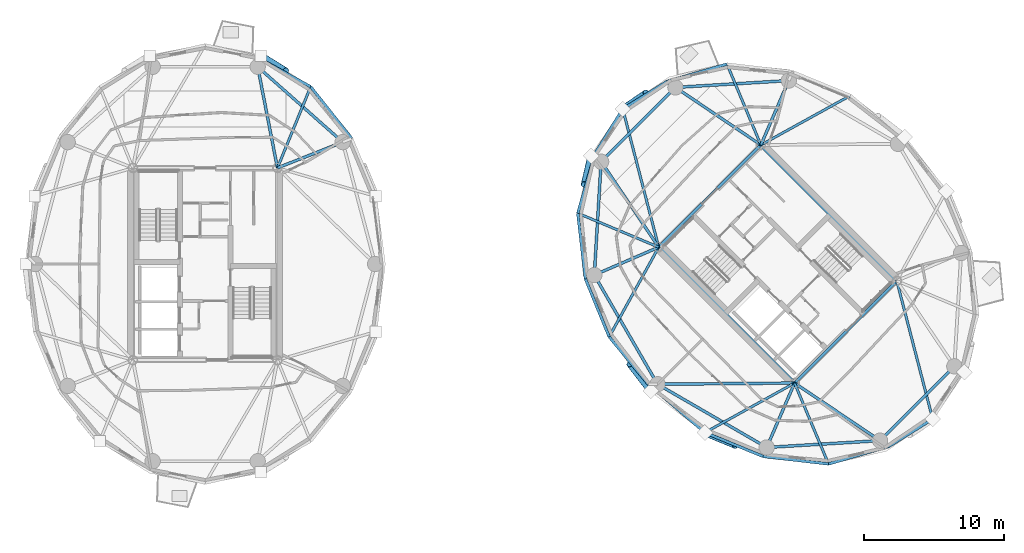
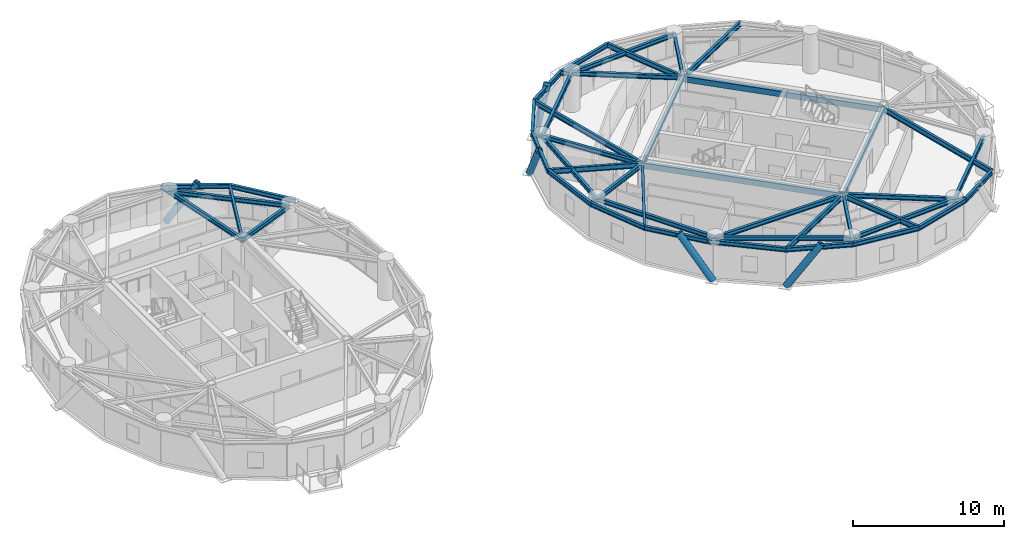
# One storey, part 4 of 16: 44 beams, 5 members.
"""IFC4 building model written with IfcOpenShell, lengths in metres."""

from ifc_helpers import new_model, si_unit, direction, frame, origin, origin_2d, place, context, subcontext, project, spatial, hollow_rectangle, hollow_circle, i_section, extrude, material, material_profile, profile_set, type_object, element, save


model = new_model("IFC4")

# Units and contexts
model_context = context("Model", 3, precision=1e-05, world=origin(), true_north=direction((0.0, 1.0)))
body_context = subcontext(model_context, "Body", "Model", "MODEL_VIEW")
ifc_project = project(units=[si_unit("LENGTHUNIT", "METRE"), si_unit("AREAUNIT", "SQUARE_METRE"), si_unit("VOLUMEUNIT", "CUBIC_METRE"), si_unit("PLANEANGLEUNIT", "RADIAN"), si_unit("MASSUNIT", "GRAM", prefix="KILO")], contexts=[model_context])

# Site, building, storey
site_placement = place(None, origin())
site = spatial("IfcSite", under=ifc_project, at=site_placement, CompositionType="ELEMENT")
building_placement = place(site_placement, origin())
building = spatial("IfcBuilding", under=site, at=building_placement, Name="Cununo Teusaquillo Station Towers", CompositionType="ELEMENT")
storey_placement = place(building_placement, frame((0.0, 0.0, 226.050048828125)))
storey = spatial("IfcBuildingStorey", under=building, at=storey_placement, Name="L72", CompositionType="ELEMENT", Elevation=226.050048828125)

# Beams
ifc_material_1 = material(Name="Steel EN 10025-2 S355J2", Category="steel")
ifc_material_profile_1 = material_profile(ifc_material_1, hollow_rectangle(XDim=0.25, YDim=0.449951171875, WallThickness=0.01611328125, at=origin_2d()), Name="RHS 450x250x16")
ifc_profile_set_1 = profile_set([ifc_material_profile_1], Name="Steel EN 10025-2 S355J2")
beam_type_1 = type_object("IfcBeamType", Name="BM-COUP-1", PredefinedType="USERDEFINED", material=ifc_profile_set_1)
for number, where, z_axis, x_axis, name in (
    (1, (58.70556640625, 15.975830078125, 2.764892578125), (-0.707106781187, 0.707106781187, 0.0), (-0.707106781187, -0.707106781187, 0.0), "L72 Tower B Core Beam 1"),
    (2, (66.024169921875, 23.29443359375, 2.764892578125), (-0.707106781187, 0.707106781187, 0.0), (-0.707106781187, -0.707106781187, 0.0), "L72 Tower B Core Beam 2"),
):
    element("IfcBeam", number, at=place(storey_placement, frame(where, z_axis=z_axis, x_axis=x_axis)), inside=storey, type_object=beam_type_1, Name=name, ObjectType="COUPLING BEAM", PredefinedType="USERDEFINED", context=body_context, shape_type="SweptSolid", body=[
        extrude(hollow_rectangle(XDim=0.25, YDim=0.449951171875, WallThickness=0.01611328125, at=origin_2d()), origin(), (0.0, 0.0, 1.0), 13.760009765625),
    ])
ifc_material_2 = material(Name="Steel ASTM A572 Grade 50", Category="steel")
ifc_material_profile_2 = material_profile(ifc_material_2, i_section(OverallWidth=0.180908203125, OverallDepth=0.4169921875, WebThickness=0.010986328125, FlangeThickness=0.018310546875, FilletRadius=0.012939453125, at=origin_2d()), Name="W16X57")
ifc_profile_set_2 = profile_set([ifc_material_profile_2], Name="Steel ASTM A572 Grade 50")
beam_type_2 = type_object("IfcBeamType", Name="BM-JOIST-1", PredefinedType="JOIST", material=ifc_profile_set_2)
beam_1_placement = place(storey_placement, frame((21.675048828125, 31.3798828125, 2.781494140625), z_axis=(0.378576847217, 0.925569862707, 0.0), x_axis=(-0.925569862707, 0.378576847217, 0.0)))
element("IfcBeam", 3, at=beam_1_placement, inside=storey, type_object=beam_type_2, Name="L72 Tower A Radial Spandrel Joist V03", PredefinedType="JOIST", context=body_context, shape_type="SweptSolid", body=[
    extrude(i_section(OverallWidth=0.180908203125, OverallDepth=0.4169921875, WebThickness=0.010986328125, FlangeThickness=0.018310546875, FilletRadius=0.012939453125, at=origin_2d()), origin(), (0.0, 0.0, 1.0), 6.28125),
])
beam_2_placement = place(storey_placement, frame((56.29443359375, 33.024169921875, 2.781494140625), z_axis=(0.8753153358, 0.483552544108, 0.0), x_axis=(-0.483552544108, 0.8753153358, 0.0)))
element("IfcBeam", 4, at=beam_2_placement, inside=storey, type_object=beam_type_2, Name="L72 Tower B Radial Spandrel Joist V01", PredefinedType="JOIST", context=body_context, shape_type="SweptSolid", body=[
    extrude(i_section(OverallWidth=0.180908203125, OverallDepth=0.4169921875, WebThickness=0.010986328125, FlangeThickness=0.018310546875, FilletRadius=0.012939453125, at=origin_2d()), origin(), (0.0, 0.0, 1.0), 7.3330078125),
])
beam_3_placement = place(storey_placement, frame((56.29443359375, 33.024169921875, 2.781494140625), z_axis=(-0.386786389381, 0.922169338565, 0.0), x_axis=(-0.922169338565, -0.386786389381, 0.0)))
element("IfcBeam", 5, at=beam_3_placement, inside=storey, type_object=beam_type_2, Name="L72 Tower B Radial Spandrel Joist V03", PredefinedType="JOIST", context=body_context, shape_type="SweptSolid", body=[
    extrude(i_section(OverallWidth=0.180908203125, OverallDepth=0.4169921875, WebThickness=0.010986328125, FlangeThickness=0.018310546875, FilletRadius=0.012939453125, at=origin_2d()), origin(), (0.0, 0.0, 1.0), 6.281005859375),
])
beam_4_placement = place(storey_placement, frame((48.975830078125, 25.70556640625, 2.781494140625), z_axis=(-0.251559992432, 0.967841707206, 0.0), x_axis=(-0.967841707206, -0.251559992432, 0.0)))
element("IfcBeam", 6, at=beam_4_placement, inside=storey, type_object=beam_type_2, Name="L72 Tower B Radial Spandrel Joist V05", PredefinedType="JOIST", context=body_context, shape_type="SweptSolid", body=[
    extrude(i_section(OverallWidth=0.180908203125, OverallDepth=0.4169921875, WebThickness=0.010986328125, FlangeThickness=0.018310546875, FilletRadius=0.012939453125, at=origin_2d()), origin(), (0.0, 0.0, 1.0), 10.217529296875),
])
beam_5_placement = place(storey_placement, frame((48.975830078125, 25.70556640625, 2.781494140625), z_axis=(-0.922169338565, 0.386786389381, 0.0), x_axis=(-0.386786389381, -0.922169338565, 0.0)))
element("IfcBeam", 7, at=beam_5_placement, inside=storey, type_object=beam_type_2, Name="L72 Tower B Radial Spandrel Joist V07", PredefinedType="JOIST", context=body_context, shape_type="SweptSolid", body=[
    extrude(i_section(OverallWidth=0.180908203125, OverallDepth=0.4169921875, WebThickness=0.010986328125, FlangeThickness=0.018310546875, FilletRadius=0.012939453125, at=origin_2d()), origin(), (0.0, 0.0, 1.0), 6.281005859375),
])
for number, where, z_axis, x_axis, name in (
    (8, (48.975830078125, 25.70556640625, 2.781494140625), (-0.483552544108, -0.8753153358, 0.0), (0.8753153358, -0.483552544108, 0.0), "L72 Tower B Radial Spandrel Joist V09"),
    (9, (58.70556640625, 15.975830078125, 2.781494140625), (-0.8753153358, -0.483552544108, 0.0), (0.483552544108, -0.8753153358, 0.0), "L72 Tower B Radial Spandrel Joist V11"),
):
    element("IfcBeam", number, at=place(storey_placement, frame(where, z_axis=z_axis, x_axis=x_axis)), inside=storey, type_object=beam_type_2, Name=name, PredefinedType="JOIST", context=body_context, shape_type="SweptSolid", body=[
        extrude(i_section(OverallWidth=0.180908203125, OverallDepth=0.4169921875, WebThickness=0.010986328125, FlangeThickness=0.018310546875, FilletRadius=0.012939453125, at=origin_2d()), origin(), (0.0, 0.0, 1.0), 7.3330078125),
    ])
beam_6_placement = place(storey_placement, frame((58.70556640625, 15.975830078125, 2.781494140625), z_axis=(0.386786389381, -0.922169338565, 0.0), x_axis=(0.922169338565, 0.386786389381, 0.0)))
element("IfcBeam", 10, at=beam_6_placement, inside=storey, type_object=beam_type_2, Name="L72 Tower B Radial Spandrel Joist V13", PredefinedType="JOIST", context=body_context, shape_type="SweptSolid", body=[
    extrude(i_section(OverallWidth=0.180908203125, OverallDepth=0.4169921875, WebThickness=0.010986328125, FlangeThickness=0.018310546875, FilletRadius=0.012939453125, at=origin_2d()), origin(), (0.0, 0.0, 1.0), 6.281005859375),
])
beam_7_placement = place(storey_placement, frame((66.024169921875, 23.29443359375, 2.781494140625), z_axis=(0.251559992432, -0.967841707206, 0.0), x_axis=(0.967841707206, 0.251559992432, 0.0)))
element("IfcBeam", 11, at=beam_7_placement, inside=storey, type_object=beam_type_2, Name="L72 Tower B Radial Spandrel Joist V15", PredefinedType="JOIST", context=body_context, shape_type="SweptSolid", body=[
    extrude(i_section(OverallWidth=0.180908203125, OverallDepth=0.4169921875, WebThickness=0.010986328125, FlangeThickness=0.018310546875, FilletRadius=0.012939453125, at=origin_2d()), origin(), (0.0, 0.0, 1.0), 10.217529296875),
])
ifc_material_3 = material(Name="Steel ASTM A572 Grade 50", Category="steel")
ifc_material_profile_3 = material_profile(ifc_material_3, i_section(OverallWidth=0.2041015625, OverallDepth=0.35009765625, WebThickness=0.008544921875, FlangeThickness=0.01513671875, FilletRadius=0.011962890625, at=origin_2d()), Name="W14X48")
ifc_profile_set_3 = profile_set([ifc_material_profile_3], Name="Steel ASTM A572 Grade 50")
beam_type_3 = type_object("IfcBeamType", Name="BM-LINTEL-1", PredefinedType="LINTEL", material=ifc_profile_set_3)
for number, where, z_axis, x_axis, name in (
    (12, (58.70556640625, 15.975830078125, 2.81494140625), (0.707106781187, 0.707106781187, 0.0), (-0.707106781187, 0.707106781187, 0.0), "L72 Tower B Core Beam 3"),
    (13, (48.975830078125, 25.70556640625, 2.81494140625), (0.707106781187, 0.707106781187, 0.0), (-0.707106781187, 0.707106781187, 0.0), "L72 Tower B Core Beam 4"),
):
    element("IfcBeam", number, at=place(storey_placement, frame(where, z_axis=z_axis, x_axis=x_axis)), inside=storey, type_object=beam_type_3, Name=name, PredefinedType="LINTEL", context=body_context, shape_type="SweptSolid", body=[
        extrude(i_section(OverallWidth=0.2041015625, OverallDepth=0.35009765625, WebThickness=0.008544921875, FlangeThickness=0.01513671875, FilletRadius=0.011962890625, at=origin_2d()), origin(), (0.0, 0.0, 1.0), 10.35009765625),
    ])
ifc_material_4 = material(Name="Steel ASTM A572 Grade 50", Category="steel")
ifc_material_profile_4 = material_profile(ifc_material_4, i_section(OverallWidth=0.2041015625, OverallDepth=0.35009765625, WebThickness=0.008544921875, FlangeThickness=0.01513671875, FilletRadius=0.011962890625, at=origin_2d()), Name="W14X48")
ifc_profile_set_4 = profile_set([ifc_material_profile_4], Name="Steel ASTM A572 Grade 50")
beam_type_4 = type_object("IfcBeamType", Name="BM-RAD-G3", PredefinedType="BEAM", material=ifc_profile_set_4)
beam_8_placement = place(storey_placement, frame((21.675048828125, 31.3798828125, 2.81494140625), z_axis=(0.929864104313, 0.367903176814, 0.0), x_axis=(-0.367903176814, 0.929864104313, 0.0)))
element("IfcBeam", 14, at=beam_8_placement, inside=storey, type_object=beam_type_4, Name="L72 Tower A Radial Girder 02A", PredefinedType="BEAM", context=body_context, shape_type="SweptSolid", body=[
    extrude(i_section(OverallWidth=0.2041015625, OverallDepth=0.35009765625, WebThickness=0.008544921875, FlangeThickness=0.01513671875, FilletRadius=0.011962890625, at=origin_2d()), origin(), (0.0, 0.0, 1.0), 5.02490234375),
])
beam_9_placement = place(storey_placement, frame((21.675048828125, 31.3798828125, 2.81494140625), z_axis=(-0.191548487699, 0.981483151593, 0.0), x_axis=(-0.981483151593, -0.191548487699, 0.0)))
element("IfcBeam", 15, at=beam_9_placement, inside=storey, type_object=beam_type_4, Name="L72 Tower A Continuous Overhanging Radial Girder 03", PredefinedType="BEAM", context=body_context, shape_type="SweptSolid", body=[
    extrude(i_section(OverallWidth=0.2041015625, OverallDepth=0.35009765625, WebThickness=0.008544921875, FlangeThickness=0.01513671875, FilletRadius=0.011962890625, at=origin_2d()), origin(), (0.0, 0.0, 1.0), 8.1240234375),
])
beam_10_placement = place(storey_placement, frame((56.29443359375, 33.024169921875, 2.81494140625), z_axis=(0.397346986387, 0.917668443616, 0.0), x_axis=(-0.917668443616, 0.397346986387, 0.0)))
element("IfcBeam", 16, at=beam_10_placement, inside=storey, type_object=beam_type_4, Name="L72 Tower B Radial Girder 02A", PredefinedType="BEAM", context=body_context, shape_type="SweptSolid", body=[
    extrude(i_section(OverallWidth=0.2041015625, OverallDepth=0.35009765625, WebThickness=0.008544921875, FlangeThickness=0.01513671875, FilletRadius=0.011962890625, at=origin_2d()), origin(), (0.0, 0.0, 1.0), 5.02490234375),
])
for number, where, z_axis, x_axis, name in (
    (17, (56.29443359375, 33.024169921875, 2.81494140625), (-0.829456817529, 0.558570844079, 0.0), (-0.558570844079, -0.829456817529, 0.0), "L72 Tower B Continuous Overhanging Radial Girder 03"),
    (18, (48.975830078125, 25.70556640625, 2.81494140625), (-0.558570844079, 0.829456817529, 0.0), (-0.829456817529, -0.558570844079, 0.0), "L72 Tower B Continuous Overhanging Radial Girder 04"),
):
    element("IfcBeam", number, at=place(storey_placement, frame(where, z_axis=z_axis, x_axis=x_axis)), inside=storey, type_object=beam_type_4, Name=name, PredefinedType="BEAM", context=body_context, shape_type="SweptSolid", body=[
        extrude(i_section(OverallWidth=0.2041015625, OverallDepth=0.35009765625, WebThickness=0.008544921875, FlangeThickness=0.01513671875, FilletRadius=0.011962890625, at=origin_2d()), origin(), (0.0, 0.0, 1.0), 8.1240234375),
    ])
beam_11_placement = place(storey_placement, frame((48.975830078125, 25.70556640625, 2.81494140625), z_axis=(-0.917665176837, -0.397354530893, 0.0), x_axis=(0.397354530893, -0.917665176837, 0.0)))
element("IfcBeam", 19, at=beam_11_placement, inside=storey, type_object=beam_type_4, Name="L72 Tower B Continuous Overhanging Radial Girder 05", PredefinedType="BEAM", context=body_context, shape_type="SweptSolid", body=[
    extrude(i_section(OverallWidth=0.2041015625, OverallDepth=0.35009765625, WebThickness=0.008544921875, FlangeThickness=0.01513671875, FilletRadius=0.011962890625, at=origin_2d()), origin(), (0.0, 0.0, 1.0), 5.716552734375),
])
beam_12_placement = place(storey_placement, frame((58.70556640625, 15.975830078125, 2.81494140625), z_axis=(-0.999964431382, -0.008434214327, 0.0), x_axis=(0.008434214327, -0.999964431382, 0.0)))
element("IfcBeam", 20, at=beam_12_placement, inside=storey, type_object=beam_type_4, Name="L72 Tower B Radial Girder 06A", PredefinedType="BEAM", context=body_context, shape_type="SweptSolid", body=[
    extrude(i_section(OverallWidth=0.2041015625, OverallDepth=0.35009765625, WebThickness=0.008544921875, FlangeThickness=0.01513671875, FilletRadius=0.011962890625, at=origin_2d()), origin(), (0.0, 0.0, 1.0), 9.812744140625),
])
beam_13_placement = place(storey_placement, frame((58.70556640625, 15.975830078125, 2.81494140625), z_axis=(-0.397354530893, -0.917665176837, 0.0), x_axis=(0.917665176837, -0.397354530893, 0.0)))
element("IfcBeam", 21, at=beam_13_placement, inside=storey, type_object=beam_type_4, Name="L72 Tower B Continuous Overhanging Radial Girder 07", PredefinedType="BEAM", context=body_context, shape_type="SweptSolid", body=[
    extrude(i_section(OverallWidth=0.2041015625, OverallDepth=0.35009765625, WebThickness=0.008544921875, FlangeThickness=0.01513671875, FilletRadius=0.011962890625, at=origin_2d()), origin(), (0.0, 0.0, 1.0), 5.716552734375),
])
beam_14_placement = place(storey_placement, frame((58.70556640625, 15.975830078125, 2.81494140625), z_axis=(0.829456817529, -0.558570844079, 0.0), x_axis=(0.558570844079, 0.829456817529, 0.0)))
element("IfcBeam", 22, at=beam_14_placement, inside=storey, type_object=beam_type_4, Name="L72 Tower B Continuous Overhanging Radial Girder 08", PredefinedType="BEAM", context=body_context, shape_type="SweptSolid", body=[
    extrude(i_section(OverallWidth=0.2041015625, OverallDepth=0.35009765625, WebThickness=0.008544921875, FlangeThickness=0.01513671875, FilletRadius=0.011962890625, at=origin_2d()), origin(), (0.0, 0.0, 1.0), 8.1240234375),
])
ifc_material_5 = material(Name="Steel ASTM A572 Grade 50", Category="steel")
ifc_material_profile_5 = material_profile(ifc_material_5, i_section(OverallWidth=0.2041015625, OverallDepth=0.35009765625, WebThickness=0.008544921875, FlangeThickness=0.01513671875, FilletRadius=0.011962890625, at=origin_2d()), Name="W14X48")
ifc_profile_set_5 = profile_set([ifc_material_profile_5], Name="Steel ASTM A572 Grade 50")
beam_type_5 = type_object("IfcBeamType", Name="BM-RING-Z4", PredefinedType="SPANDREL", material=ifc_profile_set_5)
beam_15_placement = place(storey_placement, frame((26.347412109375, 33.228515625, 2.81494140625), z_axis=(-0.74832120039, 0.66333655187, 0.0), x_axis=(-0.66333655187, -0.74832120039, 0.0)))
element("IfcBeam", 23, at=beam_15_placement, inside=storey, type_object=beam_type_5, Name="L72 Tower A Structural Column Ring Girder 02", PredefinedType="SPANDREL", context=body_context, shape_type="SweptSolid", body=[
    extrude(i_section(OverallWidth=0.2041015625, OverallDepth=0.35009765625, WebThickness=0.008544921875, FlangeThickness=0.01513671875, FilletRadius=0.011962890625, at=origin_2d()), origin(), (0.0, 0.0, 1.0), 8.1328125),
])
beam_16_placement = place(storey_placement, frame((26.990478515625, 33.483154296875, 2.81494140625), z_axis=(-0.620710872531, 0.784039547932, 0.0), x_axis=(-0.784039547932, -0.620710872531, 0.0)))
element("IfcBeam", 24, at=beam_16_placement, inside=storey, type_object=beam_type_5, Name="L72 Tower A Spandrel Ring Beam 03", PredefinedType="SPANDREL", context=body_context, shape_type="SweptSolid", body=[
    extrude(i_section(OverallWidth=0.2041015625, OverallDepth=0.35009765625, WebThickness=0.008544921875, FlangeThickness=0.01513671875, FilletRadius=0.011962890625, at=origin_2d()), origin(), (0.0, 0.0, 1.0), 4.732421875),
])
beam_17_placement = place(storey_placement, frame((24.052978515625, 37.193603515625, 2.81494140625), z_axis=(-0.876576300909, 0.481262910149, 0.0), x_axis=(-0.481262910149, -0.876576300909, 0.0)))
element("IfcBeam", 25, at=beam_17_placement, inside=storey, type_object=beam_type_5, Name="L72 Tower A Spandrel Ring Beam 04", PredefinedType="SPANDREL", context=body_context, shape_type="SweptSolid", body=[
    extrude(i_section(OverallWidth=0.2041015625, OverallDepth=0.35009765625, WebThickness=0.008544921875, FlangeThickness=0.01513671875, FilletRadius=0.011962890625, at=origin_2d()), origin(), (0.0, 0.0, 1.0), 4.488037109375),
])
beam_18_placement = place(storey_placement, frame((58.291015625, 37.63525390625, 2.81494140625), z_axis=(-0.998190567048, -0.06012979176, 0.0), x_axis=(0.06012979176, -0.998190567048, 0.0)))
element("IfcBeam", 26, at=beam_18_placement, inside=storey, type_object=beam_type_5, Name="L72 Tower B Structural Column Ring Girder 02", PredefinedType="SPANDREL", context=body_context, shape_type="SweptSolid", body=[
    extrude(i_section(OverallWidth=0.2041015625, OverallDepth=0.35009765625, WebThickness=0.008544921875, FlangeThickness=0.01513671875, FilletRadius=0.011962890625, at=origin_2d()), origin(), (0.0, 0.0, 1.0), 8.132568359375),
])
beam_19_placement = place(storey_placement, frame((50.173095703125, 37.146240234375, 2.81494140625), z_axis=(-0.707106781187, -0.707106781187, 0.0), x_axis=(0.707106781187, -0.707106781187, 0.0)))
element("IfcBeam", 27, at=beam_19_placement, inside=storey, type_object=beam_type_5, Name="L72 Tower B Structural Column Ring Girder 03", PredefinedType="SPANDREL", context=body_context, shape_type="SweptSolid", body=[
    extrude(i_section(OverallWidth=0.2041015625, OverallDepth=0.35009765625, WebThickness=0.008544921875, FlangeThickness=0.01513671875, FilletRadius=0.011962890625, at=origin_2d()), origin(), (0.0, 0.0, 1.0), 7.522705078125),
])
beam_20_placement = place(storey_placement, frame((44.853759765625, 31.826904296875, 2.81494140625), z_axis=(-0.06012979176, -0.998190567048, 0.0), x_axis=(0.998190567048, -0.06012979176, 0.0)))
element("IfcBeam", 28, at=beam_20_placement, inside=storey, type_object=beam_type_5, Name="L72 Tower B Structural Column Ring Girder 04", PredefinedType="SPANDREL", context=body_context, shape_type="SweptSolid", body=[
    extrude(i_section(OverallWidth=0.2041015625, OverallDepth=0.35009765625, WebThickness=0.008544921875, FlangeThickness=0.01513671875, FilletRadius=0.011962890625, at=origin_2d()), origin(), (0.0, 0.0, 1.0), 8.132568359375),
])
for number, where, z_axis, x_axis, name in (
    (29, (44.36474609375, 23.708984375, 2.81494140625), (0.501311121078, -0.865267103202, 0.0), (0.865267103202, 0.501311121078, 0.0), "L72 Tower B Structural Column Ring Girder 05"),
    (30, (48.89306640625, 15.89306640625, 2.81494140625), (0.865267103202, -0.501311121078, 0.0), (0.501311121078, 0.865267103202, 0.0), "L72 Tower B Structural Column Ring Girder 06"),
):
    element("IfcBeam", number, at=place(storey_placement, frame(where, z_axis=z_axis, x_axis=x_axis)), inside=storey, type_object=beam_type_5, Name=name, PredefinedType="SPANDREL", context=body_context, shape_type="SweptSolid", body=[
        extrude(i_section(OverallWidth=0.2041015625, OverallDepth=0.35009765625, WebThickness=0.008544921875, FlangeThickness=0.01513671875, FilletRadius=0.011962890625, at=origin_2d()), origin(), (0.0, 0.0, 1.0), 9.032958984375),
    ])
beam_21_placement = place(storey_placement, frame((56.708984375, 11.36474609375, 2.81494140625), z_axis=(0.998190567048, 0.06012979176, 0.0), x_axis=(-0.06012979176, 0.998190567048, 0.0)))
element("IfcBeam", 31, at=beam_21_placement, inside=storey, type_object=beam_type_5, Name="L72 Tower B Structural Column Ring Girder 07", PredefinedType="SPANDREL", context=body_context, shape_type="SweptSolid", body=[
    extrude(i_section(OverallWidth=0.2041015625, OverallDepth=0.35009765625, WebThickness=0.008544921875, FlangeThickness=0.01513671875, FilletRadius=0.011962890625, at=origin_2d()), origin(), (0.0, 0.0, 1.0), 8.132568359375),
])
beam_22_placement = place(storey_placement, frame((64.826904296875, 11.853759765625, 2.81494140625), z_axis=(0.707106781187, 0.707106781187, 0.0), x_axis=(-0.707106781187, 0.707106781187, 0.0)))
element("IfcBeam", 32, at=beam_22_placement, inside=storey, type_object=beam_type_5, Name="L72 Tower B Structural Column Ring Girder 08", PredefinedType="SPANDREL", context=body_context, shape_type="SweptSolid", body=[
    extrude(i_section(OverallWidth=0.2041015625, OverallDepth=0.35009765625, WebThickness=0.008544921875, FlangeThickness=0.01513671875, FilletRadius=0.011962890625, at=origin_2d()), origin(), (0.0, 0.0, 1.0), 7.522705078125),
])
beam_23_placement = place(storey_placement, frame((53.864990234375, 38.81640625, 2.81494140625), z_axis=(-0.96014487762, -0.279502797802, 0.0), x_axis=(0.279502797802, -0.96014487762, 0.0)))
element("IfcBeam", 33, at=beam_23_placement, inside=storey, type_object=beam_type_5, Name="L72 Tower B Spandrel Ring Beam 04", PredefinedType="SPANDREL", context=body_context, shape_type="SweptSolid", body=[
    extrude(i_section(OverallWidth=0.2041015625, OverallDepth=0.35009765625, WebThickness=0.008544921875, FlangeThickness=0.01513671875, FilletRadius=0.011962890625, at=origin_2d()), origin(), (0.0, 0.0, 1.0), 4.488037109375),
])
for number, where, z_axis, x_axis, name in (
    (34, (49.555908203125, 37.56201171875, 2.81494140625), (-0.848175505099, -0.529715312739, 0.0), (0.529715312739, -0.848175505099, 0.0), "L72 Tower B Spandrel Ring Beam 05"),
    (35, (46.405517578125, 35.594482421875, 2.81494140625), (-0.529715312739, -0.848175505099, 0.0), (0.848175505099, -0.529715312739, 0.0), "L72 Tower B Spandrel Ring Beam 06"),
):
    element("IfcBeam", number, at=place(storey_placement, frame(where, z_axis=z_axis, x_axis=x_axis)), inside=storey, type_object=beam_type_5, Name=name, PredefinedType="SPANDREL", context=body_context, shape_type="SweptSolid", body=[
        extrude(i_section(OverallWidth=0.2041015625, OverallDepth=0.35009765625, WebThickness=0.008544921875, FlangeThickness=0.01513671875, FilletRadius=0.011962890625, at=origin_2d()), origin(), (0.0, 0.0, 1.0), 3.71435546875),
    ])
beam_24_placement = place(storey_placement, frame((44.43798828125, 32.444091796875, 2.81494140625), z_axis=(-0.279502797802, -0.96014487762, 0.0), x_axis=(0.96014487762, -0.279502797802, 0.0)))
element("IfcBeam", 36, at=beam_24_placement, inside=storey, type_object=beam_type_5, Name="L72 Tower B Spandrel Ring Beam 07", PredefinedType="SPANDREL", context=body_context, shape_type="SweptSolid", body=[
    extrude(i_section(OverallWidth=0.2041015625, OverallDepth=0.35009765625, WebThickness=0.008544921875, FlangeThickness=0.01513671875, FilletRadius=0.011962890625, at=origin_2d()), origin(), (0.0, 0.0, 1.0), 4.488037109375),
])
beam_25_placement = place(storey_placement, frame((43.18359375, 28.135009765625, 2.81494140625), z_axis=(0.115452326356, -0.993313022334, 0.0), x_axis=(0.993313022334, 0.115452326356, 0.0)))
element("IfcBeam", 37, at=beam_25_placement, inside=storey, type_object=beam_type_5, Name="L72 Tower B Spandrel Ring Beam 08", PredefinedType="SPANDREL", context=body_context, shape_type="SweptSolid", body=[
    extrude(i_section(OverallWidth=0.2041015625, OverallDepth=0.35009765625, WebThickness=0.008544921875, FlangeThickness=0.01513671875, FilletRadius=0.011962890625, at=origin_2d()), origin(), (0.0, 0.0, 1.0), 4.732666015625),
])
beam_26_placement = place(storey_placement, frame((43.72998046875, 23.43408203125, 2.81494140625), z_axis=(0.379275405388, -0.925283830437, 0.0), x_axis=(0.925283830437, 0.379275405388, 0.0)))
element("IfcBeam", 38, at=beam_26_placement, inside=storey, type_object=beam_type_5, Name="L72 Tower B Spandrel Ring Beam 09", PredefinedType="SPANDREL", context=body_context, shape_type="SweptSolid", body=[
    extrude(i_section(OverallWidth=0.2041015625, OverallDepth=0.35009765625, WebThickness=0.008544921875, FlangeThickness=0.01513671875, FilletRadius=0.011962890625, at=origin_2d()), origin(), (0.0, 0.0, 1.0), 4.482177734375),
])
beam_27_placement = place(storey_placement, frame((45.429931640625, 19.286865234375, 2.81494140625), z_axis=(0.637524682095, -0.770429931739, 0.0), x_axis=(0.770429931739, 0.637524682095, 0.0)))
element("IfcBeam", 39, at=beam_27_placement, inside=storey, type_object=beam_type_5, Name="L72 Tower B Spandrel Ring Beam 10", PredefinedType="SPANDREL", context=body_context, shape_type="SweptSolid", body=[
    extrude(i_section(OverallWidth=0.2041015625, OverallDepth=0.35009765625, WebThickness=0.008544921875, FlangeThickness=0.01513671875, FilletRadius=0.011962890625, at=origin_2d()), origin(), (0.0, 0.0, 1.0), 4.412353515625),
])
beam_28_placement = place(storey_placement, frame((48.242919921875, 15.887451171875, 2.81494140625), z_axis=(0.760065778291, -0.649846145385, 0.0), x_axis=(0.649846145385, 0.760065778291, 0.0)))
element("IfcBeam", 40, at=beam_28_placement, inside=storey, type_object=beam_type_5, Name="L72 Tower B Spandrel Ring Beam 11", PredefinedType="SPANDREL", context=body_context, shape_type="SweptSolid", body=[
    extrude(i_section(OverallWidth=0.2041015625, OverallDepth=0.35009765625, WebThickness=0.008544921875, FlangeThickness=0.01513671875, FilletRadius=0.011962890625, at=origin_2d()), origin(), (0.0, 0.0, 1.0), 5.320556640625),
])
beam_29_placement = place(storey_placement, frame((52.286865234375, 12.429931640625, 2.81494140625), z_axis=(0.925283830437, -0.379275405388, 0.0), x_axis=(0.379275405388, 0.925283830437, 0.0)))
element("IfcBeam", 41, at=beam_29_placement, inside=storey, type_object=beam_type_5, Name="L72 Tower B Spandrel Ring Beam 12", PredefinedType="SPANDREL", context=body_context, shape_type="SweptSolid", body=[
    extrude(i_section(OverallWidth=0.2041015625, OverallDepth=0.35009765625, WebThickness=0.008544921875, FlangeThickness=0.01513671875, FilletRadius=0.011962890625, at=origin_2d()), origin(), (0.0, 0.0, 1.0), 4.482177734375),
])
beam_30_placement = place(storey_placement, frame((56.43408203125, 10.72998046875, 2.81494140625), z_axis=(0.993313022334, -0.115452326356, 0.0), x_axis=(0.115452326356, 0.993313022334, 0.0)))
element("IfcBeam", 42, at=beam_30_placement, inside=storey, type_object=beam_type_5, Name="L72 Tower B Spandrel Ring Beam 13", PredefinedType="SPANDREL", context=body_context, shape_type="SweptSolid", body=[
    extrude(i_section(OverallWidth=0.2041015625, OverallDepth=0.35009765625, WebThickness=0.008544921875, FlangeThickness=0.01513671875, FilletRadius=0.011962890625, at=origin_2d()), origin(), (0.0, 0.0, 1.0), 4.732666015625),
])
beam_31_placement = place(storey_placement, frame((61.135009765625, 10.18359375, 2.81494140625), z_axis=(0.96014487762, 0.279502797802, 0.0), x_axis=(-0.279502797802, 0.96014487762, 0.0)))
element("IfcBeam", 43, at=beam_31_placement, inside=storey, type_object=beam_type_5, Name="L72 Tower B Spandrel Ring Beam 14", PredefinedType="SPANDREL", context=body_context, shape_type="SweptSolid", body=[
    extrude(i_section(OverallWidth=0.2041015625, OverallDepth=0.35009765625, WebThickness=0.008544921875, FlangeThickness=0.01513671875, FilletRadius=0.011962890625, at=origin_2d()), origin(), (0.0, 0.0, 1.0), 4.488037109375),
])
beam_32_placement = place(storey_placement, frame((65.444091796875, 11.43798828125, 2.81494140625), z_axis=(0.848175505099, 0.529715312739, 0.0), x_axis=(-0.529715312739, 0.848175505099, 0.0)))
element("IfcBeam", 44, at=beam_32_placement, inside=storey, type_object=beam_type_5, Name="L72 Tower B Spandrel Ring Beam 15", PredefinedType="SPANDREL", context=body_context, shape_type="SweptSolid", body=[
    extrude(i_section(OverallWidth=0.2041015625, OverallDepth=0.35009765625, WebThickness=0.008544921875, FlangeThickness=0.01513671875, FilletRadius=0.011962890625, at=origin_2d()), origin(), (0.0, 0.0, 1.0), 3.71435546875),
])

# Members
ifc_material_6 = material(Name="Steel EN 10025-2 S355J2", Category="steel")
ifc_material_profile_6 = material_profile(ifc_material_6, hollow_circle(Radius=0.25390625, WallThickness=0.01806640625, at=origin_2d()), Name="CHS 508x18")
ifc_profile_set_6 = profile_set([ifc_material_profile_6], Name="Steel EN 10025-2 S355J2")
member_type = type_object("IfcMemberType", Name="MBR-DIAG-Z4", PredefinedType="BRACE", material=ifc_profile_set_6)
member_1_placement = place(storey_placement, frame((20.470947265625, 39.422119140625, -0.14013671875), z_axis=(0.467283274208, -0.290714403419, 0.834943996499), x_axis=(0.528249968439, 0.849088906325, 0.0)))
element("IfcMember", 45, at=member_1_placement, inside=storey, type_object=member_type, Name="L72 Tower A Folded-Zigzag Diagrid Tube C03", PredefinedType="BRACE", context=body_context, shape_type="SweptSolid", body=[
    extrude(hollow_circle(Radius=0.25390625, WallThickness=0.01806640625, at=origin_2d()), origin(), (0.0, 0.0, 1.0), 3.832763671875),
])
member_2_placement = place(storey_placement, frame((46.405517578125, 35.594482421875, -0.14013671875), z_axis=(0.442546661464, 0.299180116953, 0.845366021346), x_axis=(-0.560065734295, 0.828448171746, 0.0)))
element("IfcMember", 46, at=member_2_placement, inside=storey, type_object=member_type, Name="L72 Tower B Folded-Zigzag Diagrid Tube C04", PredefinedType="BRACE", context=body_context, shape_type="SweptSolid", body=[
    extrude(hollow_circle(Radius=0.25390625, WallThickness=0.01806640625, at=origin_2d()), origin(), (0.0, 0.0, 1.0), 3.78564453125),
])
member_3_placement = place(storey_placement, frame((44.140625, 32.24365234375, -0.14013671875), z_axis=(-0.124844945737, -0.536005213458, 0.834932422817), x_axis=(0.973930772574, -0.226845432471, 0.0)))
element("IfcMember", 47, at=member_3_placement, inside=storey, type_object=member_type, Name="L72 Tower B Folded-Zigzag Diagrid Tube C06", PredefinedType="BRACE", context=body_context, shape_type="SweptSolid", body=[
    extrude(hollow_circle(Radius=0.25390625, WallThickness=0.01806640625, at=origin_2d()), origin(), (0.0, 0.0, 1.0), 3.832763671875),
])
member_4_placement = place(storey_placement, frame((48.413818359375, 15.413818359375, -0.14013671875), z_axis=(-0.370489708687, 0.480830286303, 0.794694665598), x_axis=(-0.792129910102, -0.610352525613, 0.0)))
element("IfcMember", 48, at=member_4_placement, inside=storey, type_object=member_type, Name="L72 Tower B Folded-Zigzag Diagrid Tube C09", PredefinedType="BRACE", context=body_context, shape_type="SweptSolid", body=[
    extrude(hollow_circle(Radius=0.25390625, WallThickness=0.01806640625, at=origin_2d()), origin(), (0.0, 0.0, 1.0), 4.02685546875),
])
member_5_placement = place(storey_placement, frame((52.286865234375, 12.429931640625, -0.14013671875), z_axis=(0.550384486458, -0.226297108112, 0.803658220842), x_axis=(0.380273025704, 0.924874275738, 0.0)))
element("IfcMember", 49, at=member_5_placement, inside=storey, type_object=member_type, Name="L72 Tower B Folded-Zigzag Diagrid Tube C11", PredefinedType="BRACE", context=body_context, shape_type="SweptSolid", body=[
    extrude(hollow_circle(Radius=0.25390625, WallThickness=0.01806640625, at=origin_2d()), origin(), (0.0, 0.0, 1.0), 3.98193359375),
])

save(model, "model.ifc")
